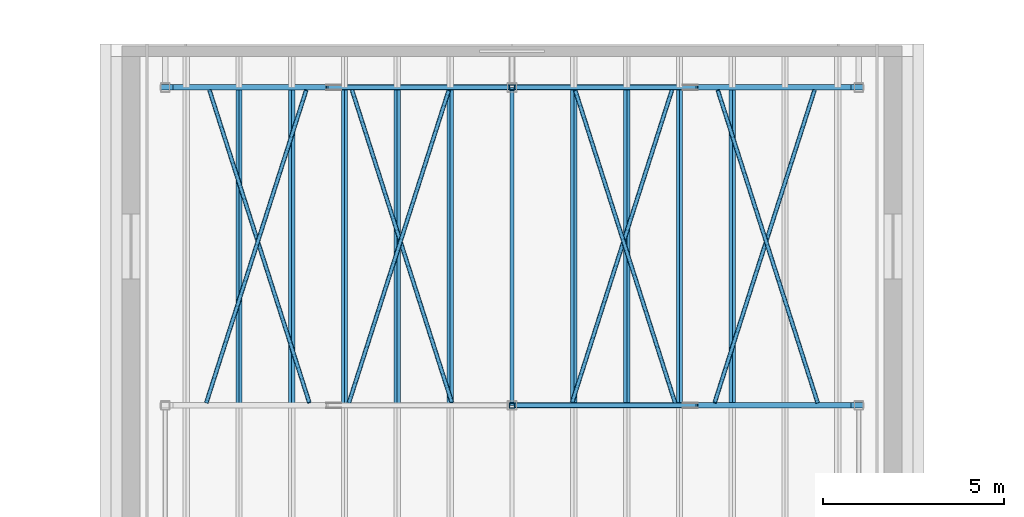
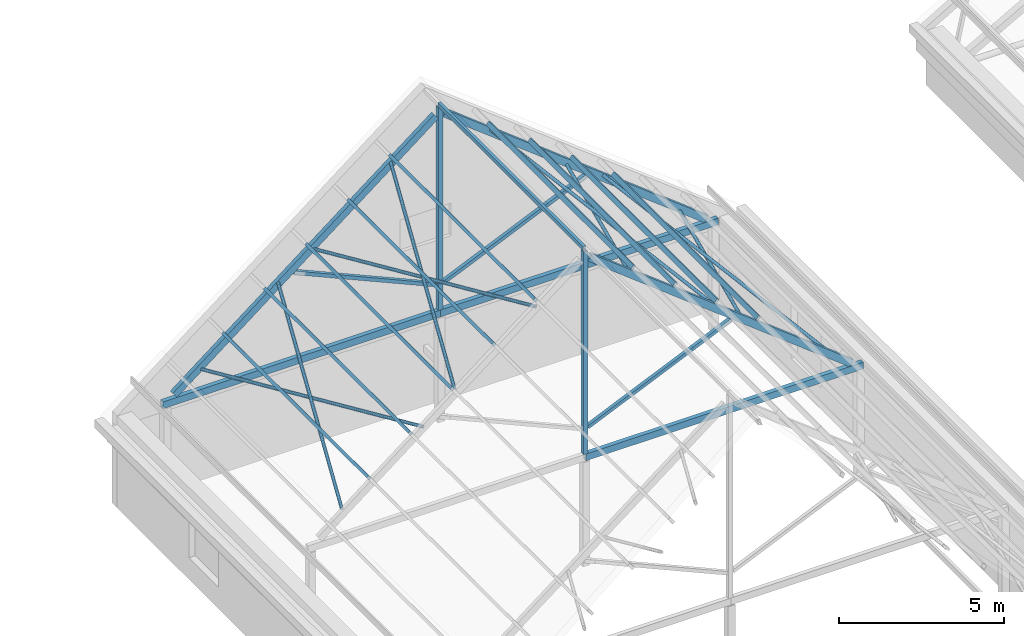
# One storey, part 36 of 127: 26 members, 3 beams.
"""IFC4 building model written with IfcOpenShell, lengths in metres."""

import ifcopenshell
import ifcopenshell.guid

model = None  # the IFC model being written
_history = None  # IfcOwnerHistory: only IFC2X3 demands one
_inside = {}  # id of a spatial element -> (the spatial element, [elements in it])
_under = {}  # id of a project, library or spatial element -> (it, [spatial elements below it])
_declared = {}  # id of a project -> (the project, [libraries it declares])
_typed = {}  # id of a type object -> (the type object, [elements of that type])
_made_of = {}  # id of a material, layer set ... -> (it, [elements and type objects made of it])


def new_model(schema):
    """Start an empty IFC model of exactly this schema.

    Asked for "IFC4X3", IfcOpenShell would pick the latest addendum, in which some entities
    have other attributes; the version numbers below select the first issue.
    IFC2X3 requires an IfcOwnerHistory on every rooted entity: one is made here for all.
    """
    global model, _history
    if schema == "IFC4X3":
        model = ifcopenshell.file(schema_version=(4, 3, 0, 0))
    else:
        model = ifcopenshell.file(schema=schema)
    _inside.clear()
    _under.clear()
    _declared.clear()
    _typed.clear()
    _made_of.clear()
    _history = None
    if model.schema == "IFC2X3":
        org = make("IfcOrganization", Name="unknown")
        user = make(
            "IfcPersonAndOrganization",
            ThePerson=make("IfcPerson", FamilyName="unknown"),
            TheOrganization=org,
        )
        app = make(
            "IfcApplication",
            ApplicationDeveloper=org,
            Version="unknown",
            ApplicationFullName="unknown",
            ApplicationIdentifier="unknown",
        )
        _history = make(
            "IfcOwnerHistory",
            OwningUser=user,
            OwningApplication=app,
            ChangeAction="ADDED",
            CreationDate=0,
        )
    return model


def make(cls, **values):
    """One entity of the class cls with the attributes given. An attribute that is None is left unset."""
    return model.create_entity(
        cls, **{name: value for name, value in values.items() if value is not None}
    )


def rooted(cls, **values):
    """An entity with a GlobalId (a new one), such as an element, a storey or a relation."""
    return make(cls, GlobalId=ifcopenshell.guid.new(), OwnerHistory=_history, **values)


def si_unit(unit_type, name, prefix=None):
    """IfcSIUnit, for example si_unit("LENGTHUNIT", "METRE", prefix="MILLI")."""
    return make("IfcSIUnit", UnitType=unit_type, Prefix=prefix, Name=name)


def assignment(units):
    """IfcUnitAssignment: the units of a project."""
    return None if units is None else make("IfcUnitAssignment", Units=units)


def point(xyz):
    """IfcCartesianPoint."""
    return None if xyz is None else make("IfcCartesianPoint", Coordinates=xyz)


def direction(xyz):
    """IfcDirection."""
    return None if xyz is None else make("IfcDirection", DirectionRatios=xyz)


def frame(location, z_axis=None, x_axis=None):
    """IfcAxis2Placement3D, a coordinate frame: its origin and axes. An axis left out is left unset."""
    return make(
        "IfcAxis2Placement3D",
        Location=point(location),
        Axis=direction(z_axis),
        RefDirection=direction(x_axis),
    )


def frame_2d(location, x_axis=None):
    """IfcAxis2Placement2D, a coordinate frame in the plane: its origin and x axis."""
    return make(
        "IfcAxis2Placement2D", Location=point(location), RefDirection=direction(x_axis)
    )


def origin():
    """The frame at (0, 0, 0) with its axes left unset."""
    return frame((0.0, 0.0, 0.0))


def origin_2d():
    """The frame at (0, 0) in the plane with its x axis left unset."""
    return frame_2d((0.0, 0.0))


def place(relative_to, where):
    """IfcLocalPlacement: puts the frame where relative to a parent placement (None: the world)."""
    return make(
        "IfcLocalPlacement", PlacementRelTo=relative_to, RelativePlacement=where
    )


def context(
    kind, dimensions, precision=None, world=None, true_north=None, identifier=None
):
    """IfcGeometricRepresentationContext, for example the 3D "Model" context."""
    return make(
        "IfcGeometricRepresentationContext",
        ContextIdentifier=identifier,
        ContextType=kind,
        CoordinateSpaceDimension=dimensions,
        Precision=precision,
        WorldCoordinateSystem=world,
        TrueNorth=true_north,
    )


def subcontext(parent, identifier, kind, view, scale=None):
    """IfcGeometricRepresentationSubContext, for example "Body" below "Model"."""
    return make(
        "IfcGeometricRepresentationSubContext",
        ContextIdentifier=identifier,
        ContextType=kind,
        ParentContext=parent,
        TargetScale=scale,
        TargetView=view,
    )


def project(units=None, contexts=None):
    """IfcProject with its units and contexts."""
    return rooted(
        "IfcProject",
        Name="project",
        RepresentationContexts=contexts,
        UnitsInContext=assignment(units),
    )


def spatial(cls, under=None, at=None, **own):
    """A site, building, storey or space (cls), placed at a placement, below another one or the project."""
    s = rooted(cls, ObjectPlacement=at, **own)
    if under is not None:
        _under.setdefault(under.id(), (under, []))[1].append(s)
    return s


def profile(cls, at=None, kind="AREA", **sizes):
    """A parametric profile (cls). Its sizes go by their IFC names, for example OverallWidth=200.0."""
    return make(cls, ProfileType=kind, Position=at, **sizes)


def hollow_rectangle(**sizes):
    """IfcRectangleHollowProfileDef."""
    return profile("IfcRectangleHollowProfileDef", **sizes)


def hollow_circle(**sizes):
    """IfcCircleHollowProfileDef."""
    return profile("IfcCircleHollowProfileDef", **sizes)


def extrude(swept, where, along, depth):
    """IfcExtrudedAreaSolid: the profile swept, set in the frame where, extruded along a direction by depth."""
    return make(
        "IfcExtrudedAreaSolid",
        SweptArea=swept,
        Position=where,
        ExtrudedDirection=direction(along),
        Depth=depth,
    )


def shape(context_of_items, identifier, shape_type, items):
    """IfcShapeRepresentation: the items that make up one representation, for example the "Body"."""
    return make(
        "IfcShapeRepresentation",
        ContextOfItems=context_of_items,
        RepresentationIdentifier=identifier,
        RepresentationType=shape_type,
        Items=items,
    )


def material(Name=None, Category=None):
    """IfcMaterial."""
    return make("IfcMaterial", Name=Name, Category=Category)


def material_profile(
    of_material, cross_section, Name=None, Category=None, Priority=None
):
    """IfcMaterialProfile: a cross section and its material."""
    return make(
        "IfcMaterialProfile",
        Name=Name,
        Material=of_material,
        Profile=cross_section,
        Priority=Priority,
        Category=Category,
    )


def profile_set(profiles, Name=None, composite=None):
    """IfcMaterialProfileSet."""
    return make(
        "IfcMaterialProfileSet",
        Name=Name,
        MaterialProfiles=profiles,
        CompositeProfile=composite,
    )


def made_of(thing, what):
    """Note that an element or type object is made of a material, layer set ...; save() writes the relation."""
    if what is not None:
        _made_of.setdefault(what.id(), (what, []))[1].append(thing)
    return thing


def type_object(cls, material=None, **own):
    """A type object (cls), such as IfcWallType, which elements share."""
    return made_of(rooted(cls, **own), material)


def element(
    cls,
    number,
    at=None,
    inside=None,
    cuts=None,
    type_object=None,
    material=None,
    context=None,
    identifier="Body",
    shape_type=None,
    held_by="IfcProductDefinitionShape",
    body=None,
    shapes=None,
    **own,
):
    """One element of the class cls, such as IfcWall. Its Tag is "e" and its number.

    at: its placement. inside: the storey or other place that contains it. cuts: it is an
    opening in that element (IfcRelVoidsElement). A single representation is given by context,
    identifier, shape_type and body (its items); several are given by shapes. held_by: the class
    of the entity that holds the representations. save() writes the other relations.
    """
    e = rooted(cls, Tag="e%d" % number, ObjectPlacement=at, **own)
    if body is not None:
        shapes = [shape(context, identifier, shape_type, body)]
    if shapes is not None:
        e.Representation = make(held_by, Representations=shapes)
    if inside is not None:
        _inside.setdefault(inside.id(), (inside, []))[1].append(e)
    if cuts is not None:
        rooted(
            "IfcRelVoidsElement", RelatingBuildingElement=cuts, RelatedOpeningElement=e
        )
    if type_object is not None:
        _typed.setdefault(type_object.id(), (type_object, []))[1].append(e)
    return made_of(e, material)


def aggregate(whole, parts):
    """IfcRelAggregates: a whole, such as a stair, and the parts it consists of."""
    return rooted("IfcRelAggregates", RelatingObject=whole, RelatedObjects=parts)


def save(model, path):
    """Write the relations noted so far, then the file.

    IfcRelAggregates (storeys below a building ...), IfcRelContainedInSpatialStructure (elements
    in a storey), IfcRelDefinesByType, IfcRelAssociatesMaterial and IfcRelDeclares: one each for
    every whole, place, type object, material and project.
    """
    for whole, parts in _under.values():
        aggregate(whole, parts)
    for where, things in _inside.values():
        rooted(
            "IfcRelContainedInSpatialStructure",
            RelatedElements=things,
            RelatingStructure=where,
        )
    for kind, things in _typed.values():
        rooted("IfcRelDefinesByType", RelatedObjects=things, RelatingType=kind)
    for what, things in _made_of.values():
        rooted("IfcRelAssociatesMaterial", RelatedObjects=things, RelatingMaterial=what)
    for by, libraries in _declared.values():
        rooted("IfcRelDeclares", RelatingContext=by, RelatedDefinitions=libraries)
    model.write(path)


model = new_model("IFC4")

# Units and contexts
model_context = context("Model", 3, precision=1e-05, world=origin(), true_north=direction((0.0, 1.0)))
body_context = subcontext(model_context, "Body", "Model", "MODEL_VIEW")
ifc_project = project(units=[si_unit("LENGTHUNIT", "METRE"), si_unit("AREAUNIT", "SQUARE_METRE"), si_unit("VOLUMEUNIT", "CUBIC_METRE"), si_unit("PLANEANGLEUNIT", "RADIAN"), si_unit("MASSUNIT", "GRAM", prefix="KILO")], contexts=[model_context])

# Site, building, storey
site_placement = place(None, origin())
site = spatial("IfcSite", under=ifc_project, at=site_placement, CompositionType="ELEMENT")
building_placement = place(site_placement, origin())
building = spatial("IfcBuilding", under=site, at=building_placement, Name="Verrick Yard Athletic Hall", CompositionType="ELEMENT")
storey_placement = place(building_placement, frame((0.0, 0.0, 14.0)))
storey = spatial("IfcBuildingStorey", under=building, at=storey_placement, Name="L03", CompositionType="ELEMENT", Elevation=14.0)

# Members
ifc_material = material(Name="Structural steel HSS Class C 350W (CSA G40.20/G40.21)", Category="steel")
ifc_material_profile_1 = material_profile(ifc_material, hollow_rectangle(XDim=0.15234375, YDim=0.15234375, WallThickness=0.0126953125, at=origin_2d()), Name="HSS152x152x13")
ifc_profile_set_1 = profile_set([ifc_material_profile_1], Name="Structural steel HSS Class C 350W (CSA G40.20/G40.21)")
member_type_1 = type_object("IfcMemberType", Name="HB king post HSS152x152x13", PredefinedType="POST", material=ifc_profile_set_1)
for number, where, z_axis, x_axis, name in (
    (1, (98.800048828125, 90.800048828125, 4.116455078125), (0.0, 0.0, 1.0), (0.0, 1.0, 0.0), "HB-KP-3"),
    (2, (98.800048828125, 99.60009765625, 4.116455078125), (0.0, 0.0, 1.0), (0.0, 1.0, 0.0), "HB-KP-4"),
):
    element("IfcMember", number, at=place(storey_placement, frame(where, z_axis=z_axis, x_axis=x_axis)), inside=storey, type_object=member_type_1, Name=name, PredefinedType="POST", context=body_context, shape_type="SweptSolid", body=[
        extrude(hollow_rectangle(XDim=0.15234375, YDim=0.15234375, WallThickness=0.0126953125, at=origin_2d()), origin(), (0.0, 0.0, 1.0), 7.501220703125),
    ])
ifc_material_profile_2 = material_profile(ifc_material, hollow_rectangle(XDim=0.15234375, YDim=0.25390625, WallThickness=0.009521484375, at=origin_2d()), Name="HSS254x152x9.5")
ifc_profile_set_2 = profile_set([ifc_material_profile_2], Name="Structural steel HSS Class C 350W (CSA G40.20/G40.21)")
member_type_2 = type_object("IfcMemberType", Name="HB rafter HSS254x152x9.5", PredefinedType="RAFTER", material=ifc_profile_set_2)
member_1_placement = place(storey_placement, frame((108.10791015625, 90.800048828125, 4.216552734375), z_axis=(-0.789352217376, 0.0, 0.613940613515), x_axis=(0.0, -1.0, 0.0)))
element("IfcMember", 3, at=member_1_placement, inside=storey, type_object=member_type_2, Name="HB-RF-3E", PredefinedType="RAFTER", context=body_context, shape_type="SweptSolid", body=[
    extrude(hollow_rectangle(XDim=0.15234375, YDim=0.25390625, WallThickness=0.009521484375, at=origin_2d()), origin(), (0.0, 0.0, 1.0), 11.5966796875),
])
member_2_placement = place(storey_placement, frame((89.4921875, 99.60009765625, 4.216552734375), z_axis=(0.789344281907, 0.0, 0.613950816125), x_axis=(0.0, 1.0, 0.0)))
element("IfcMember", 4, at=member_2_placement, inside=storey, type_object=member_type_2, Name="HB-RF-4W", PredefinedType="RAFTER", context=body_context, shape_type="SweptSolid", body=[
    extrude(hollow_rectangle(XDim=0.15234375, YDim=0.25390625, WallThickness=0.009521484375, at=origin_2d()), origin(), (0.0, 0.0, 1.0), 11.596435546875),
])
member_3_placement = place(storey_placement, frame((108.10791015625, 99.60009765625, 4.216552734375), z_axis=(-0.789352217376, 0.0, 0.613940613515), x_axis=(0.0, -1.0, 0.0)))
element("IfcMember", 5, at=member_3_placement, inside=storey, type_object=member_type_2, Name="HB-RF-4E", PredefinedType="RAFTER", context=body_context, shape_type="SweptSolid", body=[
    extrude(hollow_rectangle(XDim=0.15234375, YDim=0.25390625, WallThickness=0.009521484375, at=origin_2d()), origin(), (0.0, 0.0, 1.0), 11.5966796875),
])
ifc_material_profile_3 = material_profile(ifc_material, hollow_circle(Radius=0.05712890625, WallThickness=0.00634765625, at=origin_2d()), Name="HSS114x6.4")
ifc_profile_set_3 = profile_set([ifc_material_profile_3], Name="Structural steel HSS Class C 350W (CSA G40.20/G40.21)")
member_type_3 = type_object("IfcMemberType", Name="HB roof brace HSS114x6.4", PredefinedType="BRACE", material=ifc_profile_set_3)
for number, where, z_axis, x_axis, name in (
    (6, (90.341064453125, 90.876220703125, 4.965576171875), (0.296144547967, 0.926956511929, 0.230325924943), (-0.952567681583, 0.304326817753, 0.0), "HB-BR-C-W31a"),
    (7, (93.189697265625, 90.876220703125, 7.00390625), (-0.296142762803, 0.926950924221, -0.230350706804), (-0.952567681583, -0.304326817753, 0.0), "HB-BR-C-W31b"),
    (8, (94.287841796875, 90.876220703125, 8.03515625), (0.296142762803, 0.926950924221, 0.230350706804), (-0.952567681583, 0.304326817753, 0.0), "HB-BR-C-W32a"),
    (9, (97.136474609375, 90.876220703125, 10.073486328125), (-0.296144547967, 0.926956511929, -0.230325924943), (-0.952567681583, -0.304326817753, 0.0), "HB-BR-C-W32b"),
    (10, (107.259033203125, 90.876220703125, 4.965576171875), (-0.296168422928, 0.92694932757, 0.230324139806), (-0.952559885127, -0.304351220214, 0.0), "HB-BR-C-E31a"),
):
    element("IfcMember", number, at=place(storey_placement, frame(where, z_axis=z_axis, x_axis=x_axis)), inside=storey, type_object=member_type_3, Name=name, PredefinedType="BRACE", context=body_context, shape_type="SweptSolid", body=[
        extrude(hollow_circle(Radius=0.05712890625, WallThickness=0.00634765625, at=origin_2d()), origin(), (0.0, 0.0, 1.0), 9.328857421875),
    ])
member_4_placement = place(storey_placement, frame((104.41015625, 90.876220703125, 7.00390625), z_axis=(0.296166637648, 0.926943739992, -0.230348921497), x_axis=(-0.952559885127, 0.304351220214, 0.0)))
element("IfcMember", 11, at=member_4_placement, inside=storey, type_object=member_type_3, Name="HB-BR-C-E31b", PredefinedType="BRACE", context=body_context, shape_type="SweptSolid", body=[
    extrude(hollow_circle(Radius=0.05712890625, WallThickness=0.00634765625, at=origin_2d()), origin(), (0.0, 0.0, 1.0), 9.3291015625),
])
for number, where, z_axis, x_axis, name in (
    (12, (103.312255859375, 90.876220703125, 8.03515625), (-0.296142762803, 0.926950924221, 0.230350706804), (-0.952567681583, -0.304326817753, 0.0), "HB-BR-C-E32a"),
    (13, (100.463623046875, 90.876220703125, 10.073486328125), (0.296144547967, 0.926956511929, -0.230325924943), (-0.952567681583, 0.304326817753, 0.0), "HB-BR-C-E32b"),
):
    element("IfcMember", number, at=place(storey_placement, frame(where, z_axis=z_axis, x_axis=x_axis)), inside=storey, type_object=member_type_3, Name=name, PredefinedType="BRACE", context=body_context, shape_type="SweptSolid", body=[
        extrude(hollow_circle(Radius=0.05712890625, WallThickness=0.00634765625, at=origin_2d()), origin(), (0.0, 0.0, 1.0), 9.328857421875),
    ])
ifc_material_profile_4 = material_profile(ifc_material, hollow_rectangle(XDim=0.1015625, YDim=0.15234375, WallThickness=0.008056640625, at=origin_2d()), Name="HSS152x102x7.9")
ifc_profile_set_4 = profile_set([ifc_material_profile_4], Name="Structural steel HSS Class C 350W (CSA G40.20/G40.21)")
member_type_4 = type_object("IfcMemberType", Name="HB roof purlin HSS152x102x7.9", PredefinedType="PURLIN", material=ifc_profile_set_4)
for number, where, z_axis, x_axis, name in (
    (14, (91.245849609375, 90.800048828125, 5.838134765625), (0.0, 1.0, 0.0), (-0.789352213638, 0.0, -0.613940618322), "HB-PU-C-W2-4"),
    (15, (92.706298828125, 90.800048828125, 6.973876953125), (0.0, 1.0, 0.0), (-0.789352213638, 0.0, -0.613940618322), "HB-PU-C-W3-4"),
    (16, (94.16650390625, 90.800048828125, 8.109619140625), (0.0, 1.0, 0.0), (-0.789352213638, 0.0, -0.613940618322), "HB-PU-C-W4-4"),
    (17, (95.626953125, 90.800048828125, 9.245361328125), (0.0, 1.0, 0.0), (-0.789352213638, 0.0, -0.613940618322), "HB-PU-C-W5-4"),
    (18, (97.087158203125, 90.800048828125, 10.38134765625), (0.0, 1.0, 0.0), (-0.789352213638, 0.0, -0.613940618322), "HB-PU-C-W6-4"),
    (19, (104.893798828125, 90.800048828125, 6.973876953125), (0.0, 1.0, 0.0), (-0.789352213638, 0.0, 0.613940618322), "HB-PU-C-E3-4"),
    (20, (103.433349609375, 90.800048828125, 8.109619140625), (0.0, 1.0, 0.0), (-0.789352213638, 0.0, 0.613940618322), "HB-PU-C-E4-4"),
    (21, (101.97314453125, 90.800048828125, 9.245361328125), (0.0, 1.0, 0.0), (-0.789352213638, 0.0, 0.613940618322), "HB-PU-C-E5-4"),
    (22, (100.512939453125, 90.800048828125, 10.38134765625), (0.0, 1.0, 0.0), (-0.789352213638, 0.0, 0.613940618322), "HB-PU-C-E6-4"),
    (23, (98.800048828125, 90.800048828125, 11.69384765625), (0.0, 1.0, 0.0), (-1.0, 0.0, 0.0), "HB-PU-C-R-4"),
):
    element("IfcMember", number, at=place(storey_placement, frame(where, z_axis=z_axis, x_axis=x_axis)), inside=storey, type_object=member_type_4, Name=name, PredefinedType="PURLIN", context=body_context, shape_type="SweptSolid", body=[
        extrude(hollow_rectangle(XDim=0.1015625, YDim=0.15234375, WallThickness=0.008056640625, at=origin_2d()), origin(), (0.0, 0.0, 1.0), 8.800048828125),
    ])
ifc_material_profile_5 = material_profile(ifc_material, hollow_rectangle(XDim=0.126953125, YDim=0.126953125, WallThickness=0.009521484375, at=origin_2d()), Name="HSS127x127x9.5")
ifc_profile_set_5 = profile_set([ifc_material_profile_5], Name="Structural steel HSS Class C 350W (CSA G40.20/G40.21)")
member_type_5 = type_object("IfcMemberType", Name="HB roof strut HSS127x127x9.5", PredefinedType="STRUT", material=ifc_profile_set_5)
member_5_placement = place(storey_placement, frame((98.90185546875, 90.800048828125, 5.061279296875), z_axis=(0.914674353107, 0.0, 0.404191573105), x_axis=(0.0, 1.0, 0.0)))
element("IfcMember", 24, at=member_5_placement, inside=storey, type_object=member_type_5, Name="HB-RS-3E", PredefinedType="STRUT", context=body_context, shape_type="SweptSolid", body=[
    extrude(hollow_rectangle(XDim=0.126953125, YDim=0.126953125, WallThickness=0.009521484375, at=origin_2d()), origin(), (0.0, 0.0, 1.0), 5.482666015625),
])
member_6_placement = place(storey_placement, frame((98.6982421875, 99.60009765625, 5.061279296875), z_axis=(-0.914681627435, 0.0, 0.4041751111), x_axis=(0.0, -1.0, 0.0)))
element("IfcMember", 25, at=member_6_placement, inside=storey, type_object=member_type_5, Name="HB-RS-4W", PredefinedType="STRUT", context=body_context, shape_type="SweptSolid", body=[
    extrude(hollow_rectangle(XDim=0.126953125, YDim=0.126953125, WallThickness=0.009521484375, at=origin_2d()), origin(), (0.0, 0.0, 1.0), 5.48291015625),
])
member_7_placement = place(storey_placement, frame((98.90185546875, 99.60009765625, 5.061279296875), z_axis=(0.914674353107, 0.0, 0.404191573105), x_axis=(0.0, 1.0, 0.0)))
element("IfcMember", 26, at=member_7_placement, inside=storey, type_object=member_type_5, Name="HB-RS-4E", PredefinedType="STRUT", context=body_context, shape_type="SweptSolid", body=[
    extrude(hollow_rectangle(XDim=0.126953125, YDim=0.126953125, WallThickness=0.009521484375, at=origin_2d()), origin(), (0.0, 0.0, 1.0), 5.482666015625),
])

# Beams
ifc_material_profile_6 = material_profile(ifc_material, hollow_rectangle(XDim=0.15234375, YDim=0.25390625, WallThickness=0.009521484375, at=origin_2d()), Name="HSS254x152x9.5")
ifc_profile_set_6 = profile_set([ifc_material_profile_6], Name="Structural steel HSS Class C 350W (CSA G40.20/G40.21)")
beam_type = type_object("IfcBeamType", Name="HB roof tie HSS254x152x9.5", PredefinedType="BEAM", material=ifc_profile_set_6)
for number, where, z_axis, x_axis, name in (
    (27, (108.527099609375, 90.800048828125, 3.9892578125), (-1.0, 0.0, 0.0), (0.0, -1.0, 0.0), "HB-RT-3E"),
    (28, (89.072998046875, 99.60009765625, 3.9892578125), (1.0, 0.0, 0.0), (0.0, 1.0, 0.0), "HB-RT-4W"),
    (29, (108.527099609375, 99.60009765625, 3.9892578125), (-1.0, 0.0, 0.0), (0.0, -1.0, 0.0), "HB-RT-4E"),
):
    element("IfcBeam", number, at=place(storey_placement, frame(where, z_axis=z_axis, x_axis=x_axis)), inside=storey, type_object=beam_type, Name=name, PredefinedType="BEAM", context=body_context, shape_type="SweptSolid", body=[
        extrude(hollow_rectangle(XDim=0.15234375, YDim=0.25390625, WallThickness=0.009521484375, at=origin_2d()), origin(), (0.0, 0.0, 1.0), 9.72705078125),
    ])

save(model, "model.ifc")
